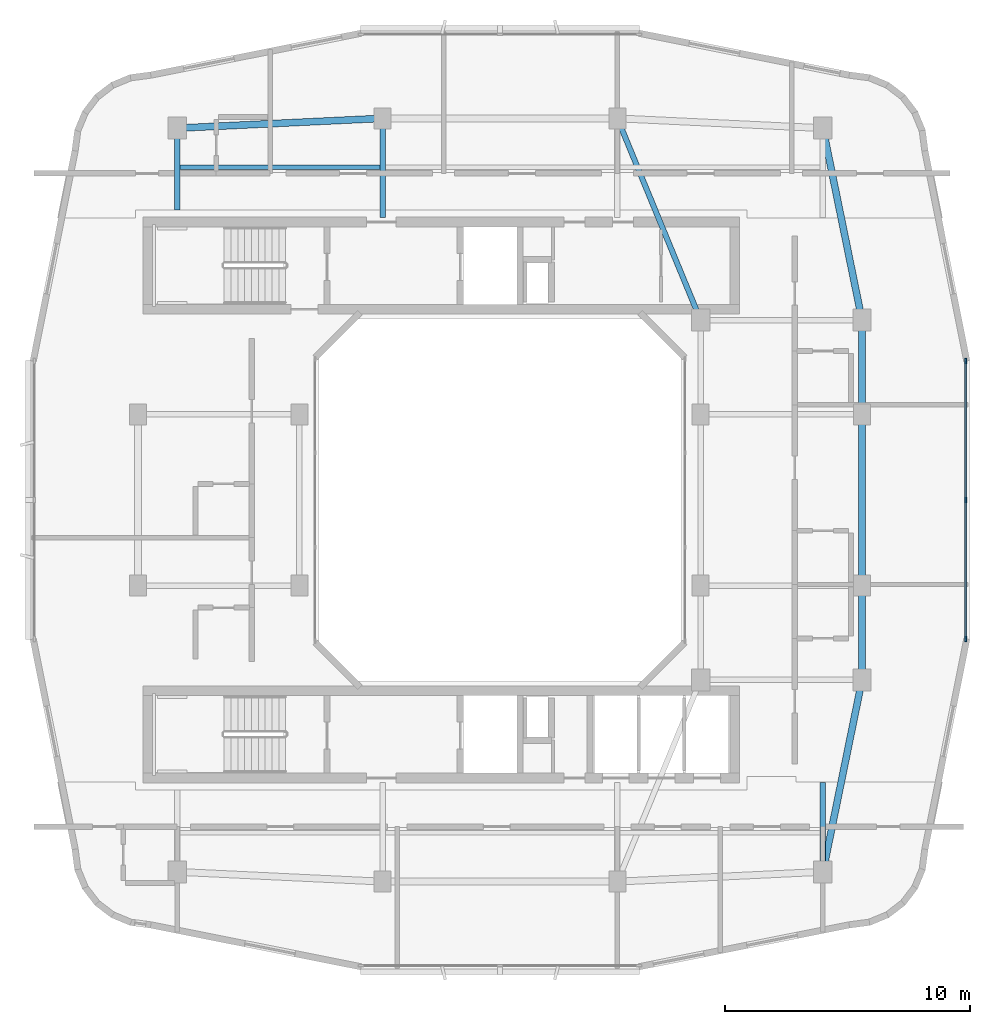
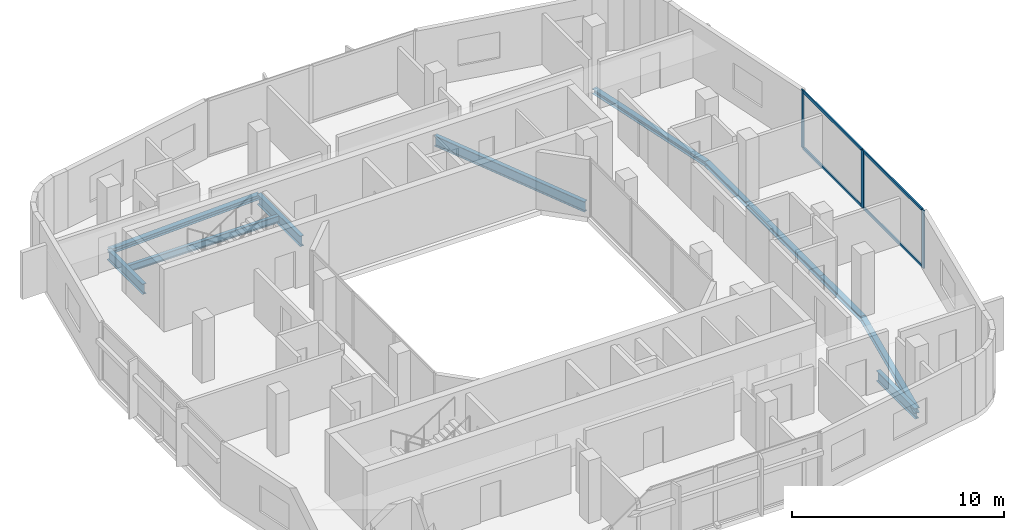
# One storey, part 4 of 14: 11 beams, 7 members, 1 element without a shape of its own.
"""IFC4 building model written with IfcOpenShell, lengths in metres."""

from ifc_helpers import new_model, si_unit, derived_unit, direction, frame, origin, origin_2d, place, context, subcontext, project, spatial, rectangle, i_section, extrude, material, layer, layer_set, material_profile, profile_set, type_object, element, aggregate, save


model = new_model("IFC4")

# Units and contexts
model_context = context("Model", 3, precision=1e-05, world=origin(), true_north=direction((0.0, 1.0)))
body_context = subcontext(model_context, "Body", "Model", "MODEL_VIEW")
ifc_project = project(units=[si_unit("LENGTHUNIT", "METRE"), si_unit("AREAUNIT", "SQUARE_METRE"), si_unit("VOLUMEUNIT", "CUBIC_METRE"), si_unit("PLANEANGLEUNIT", "RADIAN"), si_unit("MASSUNIT", "GRAM", prefix="KILO"), derived_unit("THERMALTRANSMITTANCEUNIT", [(si_unit("POWERUNIT", "WATT"), 1), (si_unit("LENGTHUNIT", "METRE"), -2), (si_unit("THERMODYNAMICTEMPERATUREUNIT", "KELVIN"), -1)])], contexts=[model_context])

# Site, building, storey
site_placement = place(None, origin())
site = spatial("IfcSite", under=ifc_project, at=site_placement, CompositionType="ELEMENT")
building_placement = place(site_placement, origin())
building = spatial("IfcBuilding", under=site, at=building_placement, Name="Kivonza Crest Hotel", CompositionType="ELEMENT")
storey_placement = place(building_placement, frame((0.0, 0.0, 209.89990234375)))
storey = spatial("IfcBuildingStorey", under=building, at=storey_placement, Name="L57", CompositionType="ELEMENT", Elevation=209.89990234375)

# Beams
ifc_material_1 = material(Name="Steel S355", Category="steel")
ifc_material_profile_1 = material_profile(ifc_material_1, i_section(OverallWidth=0.280029296875, OverallDepth=0.280029296875, WebThickness=0.010498046875, FlangeThickness=0.01806640625, FilletRadius=0.02392578125, at=origin_2d()), Name="HEB 280")
ifc_profile_set_1 = profile_set([ifc_material_profile_1], Name="Steel S355")
beam_type_1 = type_object("IfcBeamType", Name="BM-HEB280", PredefinedType="SPANDREL", material=ifc_profile_set_1)
beam_1_placement = place(storey_placement, frame((34.199951171875, 9.800048828125, -0.419921875), z_axis=(0.199730733965, 0.979850822273, 0.0), x_axis=(-0.979850822273, 0.199730733965, 0.0)))
element("IfcBeam", 1, at=beam_1_placement, inside=storey, type_object=beam_type_1, Name="Tower T1 L57 perimeter spandrel SE-PSE", PredefinedType="SPANDREL", context=body_context, shape_type="SweptSolid", body=[
    extrude(i_section(OverallWidth=0.280029296875, OverallDepth=0.280029296875, WebThickness=0.010498046875, FlangeThickness=0.01806640625, FilletRadius=0.02392578125, at=origin_2d()), origin(), (0.0, 0.0, 1.0), 8.01123046875),
])
beam_2_placement = place(storey_placement, frame((35.800048828125, 17.64990234375, -0.419921875), z_axis=(0.0, 1.0, 0.0), x_axis=(-1.0, 0.0, 0.0)))
element("IfcBeam", 2, at=beam_2_placement, inside=storey, type_object=beam_type_1, Name="Tower T1 L57 perimeter spandrel PSE-E1", PredefinedType="SPANDREL", context=body_context, shape_type="SweptSolid", body=[
    extrude(i_section(OverallWidth=0.280029296875, OverallDepth=0.280029296875, WebThickness=0.010498046875, FlangeThickness=0.01806640625, FilletRadius=0.02392578125, at=origin_2d()), origin(), (0.0, 0.0, 1.0), 3.85009765625),
])
beam_3_placement = place(storey_placement, frame((35.800048828125, 21.5, -0.419921875), z_axis=(0.0, 1.0, 0.0), x_axis=(-1.0, 0.0, 0.0)))
element("IfcBeam", 3, at=beam_3_placement, inside=storey, type_object=beam_type_1, Name="Tower T1 L57 perimeter spandrel E1-E2", PredefinedType="SPANDREL", context=body_context, shape_type="SweptSolid", body=[
    extrude(i_section(OverallWidth=0.280029296875, OverallDepth=0.280029296875, WebThickness=0.010498046875, FlangeThickness=0.01806640625, FilletRadius=0.02392578125, at=origin_2d()), origin(), (0.0, 0.0, 1.0), 7.0),
])
beam_4_placement = place(storey_placement, frame((35.800048828125, 28.5, -0.419921875), z_axis=(0.0, 1.0, 0.0), x_axis=(-1.0, 0.0, 0.0)))
element("IfcBeam", 4, at=beam_4_placement, inside=storey, type_object=beam_type_1, Name="Tower T1 L57 perimeter spandrel E2-PNE", PredefinedType="SPANDREL", context=body_context, shape_type="SweptSolid", body=[
    extrude(i_section(OverallWidth=0.280029296875, OverallDepth=0.280029296875, WebThickness=0.010498046875, FlangeThickness=0.01806640625, FilletRadius=0.02392578125, at=origin_2d()), origin(), (0.0, 0.0, 1.0), 3.85009765625),
])
beam_5_placement = place(storey_placement, frame((35.800048828125, 32.35009765625, -0.419921875), z_axis=(-0.199730733965, 0.979850822273, 0.0), x_axis=(-0.979850822273, -0.199730733965, 0.0)))
element("IfcBeam", 5, at=beam_5_placement, inside=storey, type_object=beam_type_1, Name="Tower T1 L57 perimeter spandrel PNE-NE", PredefinedType="SPANDREL", context=body_context, shape_type="SweptSolid", body=[
    extrude(i_section(OverallWidth=0.280029296875, OverallDepth=0.280029296875, WebThickness=0.010498046875, FlangeThickness=0.01806640625, FilletRadius=0.02392578125, at=origin_2d()), origin(), (0.0, 0.0, 1.0), 8.01123046875),
])
beam_6_placement = place(storey_placement, frame((16.199951171875, 40.60009765625, -0.419921875), z_axis=(-0.998867283688, -0.047583080799, 0.0), x_axis=(0.047583080799, -0.998867283688, 0.0)))
element("IfcBeam", 6, at=beam_6_placement, inside=storey, type_object=beam_type_1, Name="Tower T1 L57 perimeter spandrel N1-NW", PredefinedType="SPANDREL", context=body_context, shape_type="SweptSolid", body=[
    extrude(i_section(OverallWidth=0.280029296875, OverallDepth=0.280029296875, WebThickness=0.010498046875, FlangeThickness=0.01806640625, FilletRadius=0.02392578125, at=origin_2d()), origin(), (0.0, 0.0, 1.0), 8.409423828125),
])
ifc_material_profile_2 = material_profile(ifc_material_1, i_section(OverallWidth=0.179931640625, OverallDepth=0.39990234375, WebThickness=0.008544921875, FlangeThickness=0.013427734375, FilletRadius=0.02099609375, at=origin_2d()), Name="IPE 400")
ifc_profile_set_2 = profile_set([ifc_material_profile_2], Name="Steel S355")
beam_type_2 = type_object("IfcBeamType", Name="BM-IPE400", PredefinedType="JOIST", material=ifc_profile_set_2)
beam_7_placement = place(storey_placement, frame((7.8798828125, 38.60009765625, -0.47998046875), z_axis=(1.0, 0.0, 0.0), x_axis=(0.0, 1.0, 0.0)))
element("IfcBeam", 7, at=beam_7_placement, inside=storey, type_object=beam_type_2, Name="Tower T1 L57 North-West floor joist", PredefinedType="JOIST", context=body_context, shape_type="SweptSolid", body=[
    extrude(i_section(OverallWidth=0.179931640625, OverallDepth=0.39990234375, WebThickness=0.008544921875, FlangeThickness=0.013427734375, FilletRadius=0.02099609375, at=origin_2d()), origin(), (0.0, 0.0, 1.0), 8.240234375),
])
ifc_material_profile_3 = material_profile(ifc_material_1, i_section(OverallWidth=0.219970703125, OverallDepth=0.60009765625, WebThickness=0.011962890625, FlangeThickness=0.01904296875, FilletRadius=0.02392578125, at=origin_2d()), Name="IPE 600")
ifc_profile_set_3 = profile_set([ifc_material_profile_3], Name="Steel S355")
beam_type_3 = type_object("IfcBeamType", Name="BM-IPE600", PredefinedType="BEAM", material=ifc_profile_set_3)
beam_8_placement = place(storey_placement, frame((25.800048828125, 40.60009765625, -0.579833984375), z_axis=(0.381022260404, -0.924565864109, 0.0), x_axis=(0.924565864109, 0.381022260404, 0.0)))
element("IfcBeam", 8, at=beam_8_placement, inside=storey, type_object=beam_type_3, Name="Tower T1 L57 primary girder N1-TNE", PredefinedType="BEAM", context=body_context, shape_type="SweptSolid", body=[
    extrude(i_section(OverallWidth=0.219970703125, OverallDepth=0.60009765625, WebThickness=0.011962890625, FlangeThickness=0.01904296875, FilletRadius=0.02392578125, at=origin_2d()), origin(), (0.0, 0.0, 1.0), 8.923095703125),
])
beam_9_placement = place(storey_placement, frame((34.199951171875, 9.800048828125, -0.579833984375), z_axis=(0.0, 1.0, 0.0), x_axis=(-1.0, 0.0, 0.0)))
element("IfcBeam", 9, at=beam_9_placement, inside=storey, type_object=beam_type_3, Name="Tower T1 L57 radial core girder RSE", PredefinedType="BEAM", context=body_context, shape_type="SweptSolid", body=[
    extrude(i_section(OverallWidth=0.219970703125, OverallDepth=0.60009765625, WebThickness=0.011962890625, FlangeThickness=0.01904296875, FilletRadius=0.02392578125, at=origin_2d()), origin(), (0.0, 0.0, 1.0), 3.64990234375),
])
beam_10_placement = place(storey_placement, frame((7.800048828125, 40.199951171875, -0.579833984375), z_axis=(0.0, -1.0, 0.0), x_axis=(1.0, 0.0, 0.0)))
element("IfcBeam", 10, at=beam_10_placement, inside=storey, type_object=beam_type_3, Name="Tower T1 L57 radial core girder RNW", PredefinedType="BEAM", context=body_context, shape_type="SweptSolid", body=[
    extrude(i_section(OverallWidth=0.219970703125, OverallDepth=0.60009765625, WebThickness=0.011962890625, FlangeThickness=0.01904296875, FilletRadius=0.02392578125, at=origin_2d()), origin(), (0.0, 0.0, 1.0), 3.349853515625),
])
beam_11_placement = place(storey_placement, frame((16.199951171875, 40.60009765625, -0.579833984375), z_axis=(0.0, -1.0, 0.0), x_axis=(1.0, 0.0, 0.0)))
element("IfcBeam", 11, at=beam_11_placement, inside=storey, type_object=beam_type_3, Name="Tower T1 L57 radial core girder RN1", PredefinedType="BEAM", context=body_context, shape_type="SweptSolid", body=[
    extrude(i_section(OverallWidth=0.219970703125, OverallDepth=0.60009765625, WebThickness=0.011962890625, FlangeThickness=0.01904296875, FilletRadius=0.02392578125, at=origin_2d()), origin(), (0.0, 0.0, 1.0), 4.050048828125),
])

# Curtain wall, members
ifc_material_2 = material(Name="Anodised bronze aluminium and low-E double glazing", Category="aluminium")
ifc_layer = layer(ifc_material_2, 0.179931640625)
ifc_layer_set = layer_set([ifc_layer], Name="Anodised bronze aluminium and low-E double glazing")
curtain_wall_type = type_object("IfcCurtainWallType", Name="CW-SYS-3", PredefinedType="NOTDEFINED", material=ifc_layer_set)
curtain_wall_placement = place(storey_placement, origin())
curtain_wall = element("IfcCurtainWall", 12, at=curtain_wall_placement, inside=storey, type_object=curtain_wall_type, Name="L57 unitised curtain wall CW-T1-L57-17", PredefinedType="NOTDEFINED")
ifc_material_3 = material(Name="Anodised bronze aluminium", Category="aluminium")
ifc_material_profile_4 = material_profile(ifc_material_3, rectangle(XDim=0.074951171875, YDim=0.219970703125, at=origin_2d()), Name="CW-M 75x220")
ifc_profile_set_4 = profile_set([ifc_material_profile_4], Name="Anodised bronze aluminium")
member_type_1 = type_object("IfcMemberType", Name="CW-MUL-75x220", PredefinedType="MULLION", material=ifc_profile_set_4)
member_1_placement = place(storey_placement, frame((40.0400390625, 19.3173828125, 0.0), z_axis=(0.0, 0.0, 1.0), x_axis=(-1.0, 0.0, 0.0)))
member_1 = element("IfcMember", 13, at=member_1_placement, type_object=member_type_1, Name="CW-3 mullion 1", PredefinedType="MULLION", context=body_context, shape_type="SweptSolid", body=[
    extrude(rectangle(XDim=0.074951171875, YDim=0.219970703125, at=origin_2d()), origin(), (0.0, 0.0, 1.0), 3.320068359375),
])
member_2_placement = place(storey_placement, frame((40.0400390625, 25.0, 0.0), z_axis=(0.0, 0.0, 1.0), x_axis=(-1.0, 0.0, 0.0)))
member_2 = element("IfcMember", 14, at=member_2_placement, type_object=member_type_1, Name="CW-3 mullion 2", PredefinedType="MULLION", context=body_context, shape_type="SweptSolid", body=[
    extrude(rectangle(XDim=0.074951171875, YDim=0.219970703125, at=origin_2d()), origin(), (0.0, 0.0, 1.0), 3.320068359375),
])
member_3_placement = place(storey_placement, frame((40.0400390625, 30.6826171875, 0.0), z_axis=(0.0, 0.0, 1.0), x_axis=(-1.0, 0.0, 0.0)))
member_3 = element("IfcMember", 15, at=member_3_placement, type_object=member_type_1, Name="CW-3 mullion 3", PredefinedType="MULLION", context=body_context, shape_type="SweptSolid", body=[
    extrude(rectangle(XDim=0.074951171875, YDim=0.219970703125, at=origin_2d()), origin(), (0.0, 0.0, 1.0), 3.320068359375),
])
ifc_material_profile_5 = material_profile(ifc_material_3, rectangle(XDim=0.074951171875, YDim=0.159912109375, at=origin_2d()), Name="CW-T 75x160")
ifc_profile_set_5 = profile_set([ifc_material_profile_5], Name="Anodised bronze aluminium")
member_type_2 = type_object("IfcMemberType", Name="CW-TRN-75x160", PredefinedType="USERDEFINED", material=ifc_profile_set_5)
member_4_placement = place(storey_placement, frame((40.0400390625, 19.35498046875, 0.03759765625), z_axis=(0.0, 1.0, 0.0), x_axis=(-1.0, 0.0, 0.0)))
member_4 = element("IfcMember", 16, at=member_4_placement, type_object=member_type_2, Name="CW-3 transom 1.1", ObjectType="TRANSOM", PredefinedType="USERDEFINED", context=body_context, shape_type="SweptSolid", body=[
    extrude(rectangle(XDim=0.074951171875, YDim=0.159912109375, at=origin_2d()), origin(), (0.0, 0.0, 1.0), 5.607421875),
])
member_5_placement = place(storey_placement, frame((40.0400390625, 19.35498046875, 3.28271484375), z_axis=(0.0, 1.0, 0.0), x_axis=(-1.0, 0.0, 0.0)))
member_5 = element("IfcMember", 17, at=member_5_placement, type_object=member_type_2, Name="CW-3 transom 1.2", ObjectType="TRANSOM", PredefinedType="USERDEFINED", context=body_context, shape_type="SweptSolid", body=[
    extrude(rectangle(XDim=0.074951171875, YDim=0.159912109375, at=origin_2d()), origin(), (0.0, 0.0, 1.0), 5.607421875),
])
member_6_placement = place(storey_placement, frame((40.0400390625, 25.03759765625, 0.03759765625), z_axis=(0.0, 1.0, 0.0), x_axis=(-1.0, 0.0, 0.0)))
member_6 = element("IfcMember", 18, at=member_6_placement, type_object=member_type_2, Name="CW-3 transom 2.1", ObjectType="TRANSOM", PredefinedType="USERDEFINED", context=body_context, shape_type="SweptSolid", body=[
    extrude(rectangle(XDim=0.074951171875, YDim=0.159912109375, at=origin_2d()), origin(), (0.0, 0.0, 1.0), 5.607421875),
])
member_7_placement = place(storey_placement, frame((40.0400390625, 25.03759765625, 3.28271484375), z_axis=(0.0, 1.0, 0.0), x_axis=(-1.0, 0.0, 0.0)))
member_7 = element("IfcMember", 19, at=member_7_placement, type_object=member_type_2, Name="CW-3 transom 2.2", ObjectType="TRANSOM", PredefinedType="USERDEFINED", context=body_context, shape_type="SweptSolid", body=[
    extrude(rectangle(XDim=0.074951171875, YDim=0.159912109375, at=origin_2d()), origin(), (0.0, 0.0, 1.0), 5.607421875),
])
aggregate(curtain_wall, [member_1, member_2, member_3, member_4, member_5, member_6, member_7])

save(model, "model.ifc")
